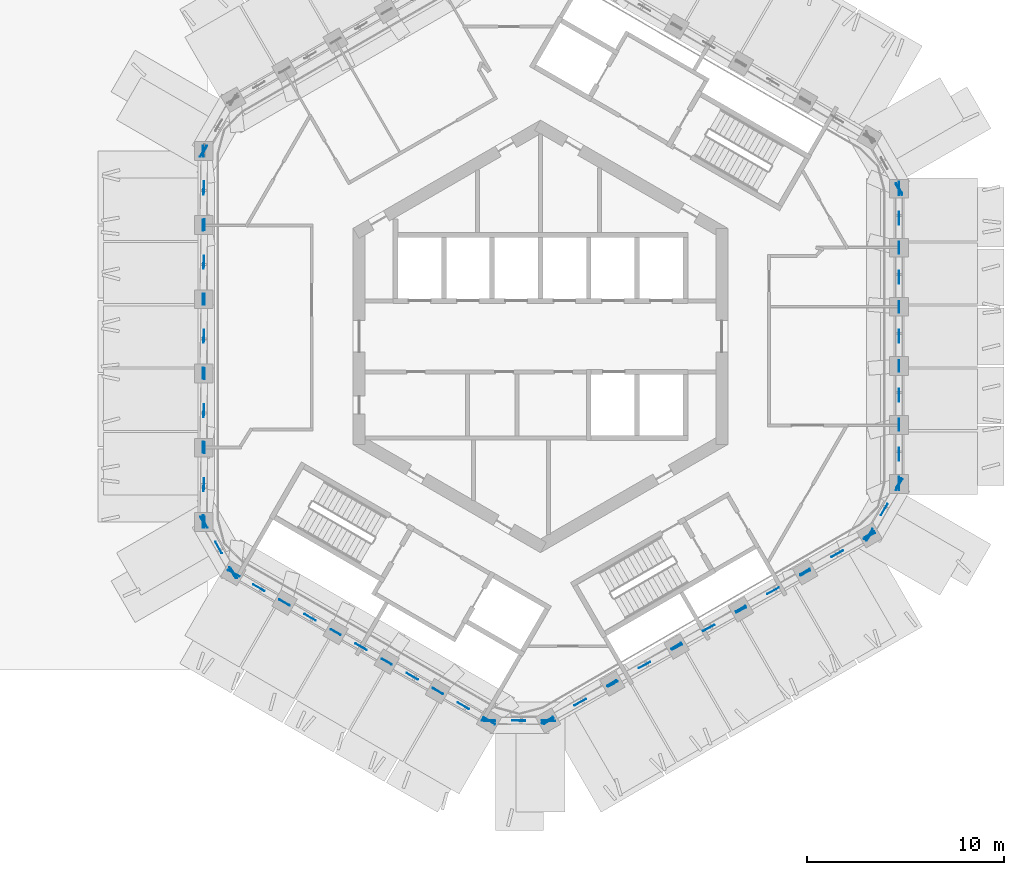
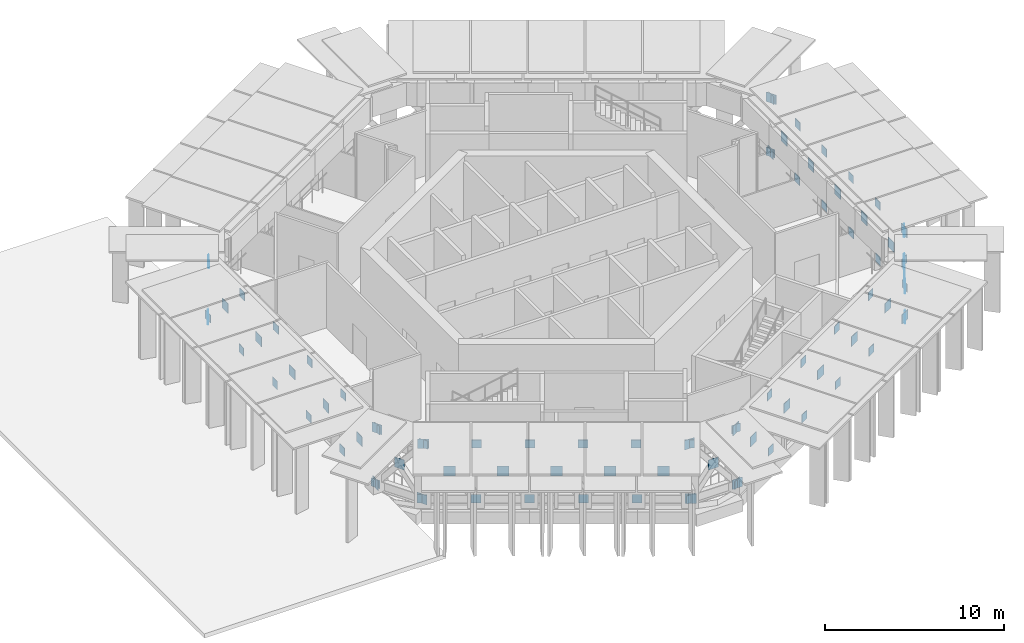
# One storey, part 10 of 15: 86 discrete accessories.
"""IFC4 building model written with IfcOpenShell, lengths in metres."""

from ifc_helpers import new_model, si_unit, direction, frame, origin, origin_2d, place, context, subcontext, project, spatial, rectangle, extrude, material, layer, layer_set, type_object, element, save


model = new_model("IFC4")

# Units and contexts
model_context = context("Model", 3, precision=1e-05, world=origin(), true_north=direction((0.0, 1.0)))
body_context = subcontext(model_context, "Body", "Model", "MODEL_VIEW")
ifc_project = project(units=[si_unit("LENGTHUNIT", "METRE"), si_unit("AREAUNIT", "SQUARE_METRE"), si_unit("VOLUMEUNIT", "CUBIC_METRE"), si_unit("PLANEANGLEUNIT", "RADIAN"), si_unit("MASSUNIT", "GRAM", prefix="KILO")], contexts=[model_context])

# Site, building, storey
site_placement = place(None, origin())
site = spatial("IfcSite", under=ifc_project, at=site_placement, CompositionType="ELEMENT")
building_placement = place(site_placement, origin())
building = spatial("IfcBuilding", under=site, at=building_placement, Name="Ayvan Gate Tower", CompositionType="ELEMENT")
storey_placement = place(building_placement, frame((0.0, 0.0, 214.10009765625)))
storey = spatial("IfcBuildingStorey", under=building, at=storey_placement, Name="L57", CompositionType="ELEMENT", Elevation=214.10009765625)

# Discrete accessories
ifc_material = material(Name="Steel S460ML", Category="steel")
ifc_layer = layer(ifc_material, 0.030029296875)
ifc_layer_set = layer_set([ifc_layer], Name="Steel S460ML")
discrete_accessory_type = type_object("IfcDiscreteAccessoryType", Name="Gusset plate 30 mm", PredefinedType="BRACKET", material=ifc_layer_set)
for number, where, z_axis, x_axis, name in (
    (1, (18.1865234375, -7.5234375, 0.06982421875), (0.0, 0.0, 1.0), (0.0, 1.0, 0.0), "Gusset plate BT3-DA-1"),
    (2, (18.1865234375, -4.46875, 3.81982421875), (0.0, 0.0, 1.0), (0.0, 1.0, 0.0), "Gusset plate BT3-DA-1"),
    (3, (-17.043212890625, 9.427978515625, 3.81982421875), (0.0, 0.0, 1.0), (0.488807011141, 0.872391945091, 0.0), "Gusset plate BT3-DA-18"),
    (4, (-17.108642578125, 9.39013671875, 0.06982421875), (0.0, 0.0, 1.0), (-0.017529189177, 0.99984635196, 0.0), "Gusset plate BT3-DA-19"),
    (5, (-17.043212890625, 5.65673828125, 3.81982421875), (0.0, 0.0, 1.0), (-0.017529189177, 0.99984635196, 0.0), "Gusset plate BT3-DA-19"),
    (6, (18.1865234375, -1.489501953125, 3.81982421875), (0.0, 0.0, 1.0), (0.0, 1.0, 0.0), "Gusset plate BT3-DA-2"),
    (7, (-17.043212890625, 1.885498046875, 3.81982421875), (0.0, 0.0, 1.0), (-0.017459386691, 0.999847573291, 0.0), "Gusset plate BT3-DA-20"),
    (8, (-17.043212890625, -1.885498046875, 3.81982421875), (0.0, 0.0, 1.0), (-0.017389584119, 0.99984878975, 0.0), "Gusset plate BT3-DA-21"),
    (9, (-17.043212890625, -5.65673828125, 3.81982421875), (0.0, 0.0, 1.0), (-0.017319781463, 0.999850001335, 0.0), "Gusset plate BT3-DA-22"),
    (10, (-17.043212890625, -9.427978515625, 3.81982421875), (0.0, 0.0, 1.0), (-0.017249978723, 0.999851208048, 0.0), "Gusset plate BT3-DA-23"),
    (11, (-17.108642578125, -9.39013671875, 0.06982421875), (0.0, 0.0, 1.0), (-0.51063746052, 0.859796129273, 0.0), "Gusset plate BT3-DA-24"),
    (12, (-15.543212890625, -12.026123046875, 3.81982421875), (0.0, 0.0, 1.0), (-0.51063746052, 0.859796129273, 0.0), "Gusset plate BT3-DA-24"),
    (13, (-15.608642578125, -11.98828125, 0.06982421875), (0.0, 0.0, 1.0), (-0.866025403784, 0.5, 0.0), "Gusset plate BT3-DA-25"),
    (14, (-12.963134765625, -13.515625, 3.81982421875), (0.0, 0.0, 1.0), (-0.866025403784, 0.5, 0.0), "Gusset plate BT3-DA-25"),
    (15, (-10.38330078125, -15.005126953125, 3.81982421875), (0.0, 0.0, 1.0), (-0.866025403784, 0.5, 0.0), "Gusset plate BT3-DA-26"),
    (16, (-7.80322265625, -16.494873046875, 3.81982421875), (0.0, 0.0, 1.0), (-0.866025403784, 0.5, 0.0), "Gusset plate BT3-DA-27"),
    (17, (-5.223388671875, -17.984375, 3.81982421875), (0.0, 0.0, 1.0), (-0.866025403784, 0.5, 0.0), "Gusset plate BT3-DA-28"),
    (18, (-2.643310546875, -19.473876953125, 3.81982421875), (0.0, 0.0, 1.0), (-0.866025403784, 0.5, 0.0), "Gusset plate BT3-DA-29"),
    (19, (18.1865234375, 1.489501953125, 3.81982421875), (0.0, 0.0, 1.0), (0.0, 1.0, 0.0), "Gusset plate BT3-DA-3"),
    (20, (-2.577880859375, -19.51171875, 0.06982421875), (0.0, 0.0, 1.0), (0.999917092076, 0.01287668335, 0.0), "Gusset plate BT3-DA-30"),
    (21, (0.356689453125, -19.473876953125, 3.81982421875), (0.0, 0.0, 1.0), (0.999917092076, 0.01287668335, 0.0), "Gusset plate BT3-DA-30"),
    (22, (0.422119140625, -19.51171875, 0.06982421875), (0.0, 0.0, 1.0), (0.85712774609, 0.515103899115, 0.0), "Gusset plate BT3-DA-31"),
    (23, (3.622802734375, -17.58837890625, 3.81982421875), (0.0, 0.0, 1.0), (0.85712774609, 0.515103899115, 0.0), "Gusset plate BT3-DA-31"),
    (24, (6.888671875, -15.70263671875, 3.81982421875), (0.0, 0.0, 1.0), (0.857163705037, 0.515044059054, 0.0), "Gusset plate BT3-DA-32"),
    (25, (10.154541015625, -13.817138671875, 3.81982421875), (0.0, 0.0, 1.0), (0.857199659807, 0.514984216484, 0.0), "Gusset plate BT3-DA-33"),
    (26, (13.420654296875, -11.931396484375, 3.81982421875), (0.0, 0.0, 1.0), (0.857235610398, 0.514924371403, 0.0), "Gusset plate BT3-DA-34"),
    (27, (16.6865234375, -10.0458984375, 3.81982421875), (0.0, 0.0, 1.0), (0.857271556812, 0.514864523813, 0.0), "Gusset plate BT3-DA-35"),
    (28, (16.6865234375, -10.121337890625, 0.06982421875), (0.0, 0.0, 1.0), (0.489286559766, 0.872123077571, 0.0), "Gusset plate BT3-DA-36"),
    (29, (18.1865234375, -7.44775390625, 3.81982421875), (0.0, 0.0, 1.0), (0.489286559766, 0.872123077571, 0.0), "Gusset plate BT3-DA-36"),
    (30, (18.1865234375, 4.46875, 3.81982421875), (0.0, 0.0, 1.0), (0.0, 1.0, 0.0), "Gusset plate BT3-DA-4"),
    (31, (18.1865234375, 7.44775390625, 3.81982421875), (0.0, 0.0, 1.0), (0.0, 1.0, 0.0), "Gusset plate BT3-DA-5"),
    (32, (18.1865234375, 7.5234375, 0.06982421875), (0.0, 0.0, 1.0), (-0.511110080935, 0.859515261741, 0.0), "Gusset plate BT3-DA-6"),
    (33, (18.1865234375, -4.513916015625, 0.06982421875), (0.0, 0.0, 1.0), (0.0, 1.0, 0.0), "Gusset plate BT3-DB-1"),
):
    element("IfcDiscreteAccessory", number, at=place(storey_placement, frame(where, z_axis=z_axis, x_axis=x_axis)), inside=storey, type_object=discrete_accessory_type, Name=name, PredefinedType="BRACKET", context=body_context, shape_type="SweptSolid", body=[
        extrude(rectangle(XDim=0.56005859375, YDim=0.030029296875, at=origin_2d()), origin(), (0.0, 0.0, 1.0), 0.56005859375),
    ])
discrete_accessory_1_placement = place(storey_placement, frame((18.1865234375, -5.98828125, 1.8916015625), z_axis=(0.0, 0.0, 1.0), x_axis=(0.0, 1.0, 0.0)))
element("IfcDiscreteAccessory", 34, at=discrete_accessory_1_placement, inside=storey, type_object=discrete_accessory_type, Name="Gusset plate BT3-DB-1", PredefinedType="BRACKET", context=body_context, shape_type="SweptSolid", body=[
    extrude(rectangle(XDim=0.657958984375, YDim=0.030029296875, at=origin_2d()), origin(), (0.0, 0.0, 1.0), 0.685302734375),
])
discrete_accessory_2_placement = place(storey_placement, frame((-17.108642578125, 9.39013671875, 0.02783203125), z_axis=(0.0, 0.0, 1.0), x_axis=(0.51063746052, 0.859796129273, 0.0)))
element("IfcDiscreteAccessory", 35, at=discrete_accessory_2_placement, inside=storey, type_object=discrete_accessory_type, Name="Gusset plate BT3-DB-18", PredefinedType="BRACKET", context=body_context, shape_type="SweptSolid", body=[
    extrude(rectangle(XDim=0.64404296875, YDim=0.030029296875, at=origin_2d()), origin(), (0.0, 0.0, 1.0), 0.64404296875),
])
discrete_accessory_3_placement = place(storey_placement, frame((-17.108642578125, 5.634033203125, 0.06982421875), z_axis=(0.0, 0.0, 1.0), x_axis=(0.017249978723, 0.999851208048, 0.0)))
element("IfcDiscreteAccessory", 36, at=discrete_accessory_3_placement, inside=storey, type_object=discrete_accessory_type, Name="Gusset plate BT3-DB-19", PredefinedType="BRACKET", context=body_context, shape_type="SweptSolid", body=[
    extrude(rectangle(XDim=0.56005859375, YDim=0.030029296875, at=origin_2d()), origin(), (0.0, 0.0, 1.0), 0.56005859375),
])
discrete_accessory_4_placement = place(storey_placement, frame((-17.075927734375, 7.52734375, 1.888671875), z_axis=(0.0, 0.0, 1.0), x_axis=(0.017249978723, 0.999851208048, 0.0)))
element("IfcDiscreteAccessory", 37, at=discrete_accessory_4_placement, inside=storey, type_object=discrete_accessory_type, Name="Gusset plate BT3-DB-19", PredefinedType="BRACKET", context=body_context, shape_type="SweptSolid", body=[
    extrude(rectangle(XDim=0.666748046875, YDim=0.030029296875, at=origin_2d()), origin(), (0.0, 0.0, 1.0), 0.665283203125),
])
discrete_accessory_5_placement = place(storey_placement, frame((18.1865234375, -1.504638671875, 0.06982421875), z_axis=(0.0, 0.0, 1.0), x_axis=(0.0, 1.0, 0.0)))
element("IfcDiscreteAccessory", 38, at=discrete_accessory_5_placement, inside=storey, type_object=discrete_accessory_type, Name="Gusset plate BT3-DB-2", PredefinedType="BRACKET", context=body_context, shape_type="SweptSolid", body=[
    extrude(rectangle(XDim=0.56005859375, YDim=0.030029296875, at=origin_2d()), origin(), (0.0, 0.0, 1.0), 0.56005859375),
])
discrete_accessory_6_placement = place(storey_placement, frame((18.1865234375, -2.994140625, 1.89208984375), z_axis=(0.0, 0.0, 1.0), x_axis=(0.0, 1.0, 0.0)))
element("IfcDiscreteAccessory", 39, at=discrete_accessory_6_placement, inside=storey, type_object=discrete_accessory_type, Name="Gusset plate BT3-DB-2", PredefinedType="BRACKET", context=body_context, shape_type="SweptSolid", body=[
    extrude(rectangle(XDim=0.658447265625, YDim=0.030029296875, at=origin_2d()), origin(), (0.0, 0.0, 1.0), 0.684814453125),
])
discrete_accessory_7_placement = place(storey_placement, frame((-17.108642578125, 1.8779296875, 0.06982421875), z_axis=(0.0, 0.0, 1.0), x_axis=(0.017319781463, 0.999850001335, 0.0)))
element("IfcDiscreteAccessory", 40, at=discrete_accessory_7_placement, inside=storey, type_object=discrete_accessory_type, Name="Gusset plate BT3-DB-20", PredefinedType="BRACKET", context=body_context, shape_type="SweptSolid", body=[
    extrude(rectangle(XDim=0.56005859375, YDim=0.030029296875, at=origin_2d()), origin(), (0.0, 0.0, 1.0), 0.56005859375),
])
discrete_accessory_8_placement = place(storey_placement, frame((-17.075927734375, 3.763671875, 1.88818359375), z_axis=(0.0, 0.0, 1.0), x_axis=(0.017319781463, 0.999850001335, 0.0)))
element("IfcDiscreteAccessory", 41, at=discrete_accessory_8_placement, inside=storey, type_object=discrete_accessory_type, Name="Gusset plate BT3-DB-20", PredefinedType="BRACKET", context=body_context, shape_type="SweptSolid", body=[
    extrude(rectangle(XDim=0.66650390625, YDim=0.030029296875, at=origin_2d()), origin(), (0.0, 0.0, 1.0), 0.665771484375),
])
discrete_accessory_9_placement = place(storey_placement, frame((-17.108642578125, -1.8779296875, 0.06982421875), z_axis=(0.0, 0.0, 1.0), x_axis=(0.017389584119, 0.99984878975, 0.0)))
element("IfcDiscreteAccessory", 42, at=discrete_accessory_9_placement, inside=storey, type_object=discrete_accessory_type, Name="Gusset plate BT3-DB-21", PredefinedType="BRACKET", context=body_context, shape_type="SweptSolid", body=[
    extrude(rectangle(XDim=0.56005859375, YDim=0.030029296875, at=origin_2d()), origin(), (0.0, 0.0, 1.0), 0.56005859375),
])
discrete_accessory_10_placement = place(storey_placement, frame((-17.075927734375, 0.0, 1.88818359375), z_axis=(0.0, 0.0, 1.0), x_axis=(0.017389584119, 0.99984878975, 0.0)))
element("IfcDiscreteAccessory", 43, at=discrete_accessory_10_placement, inside=storey, type_object=discrete_accessory_type, Name="Gusset plate BT3-DB-21", PredefinedType="BRACKET", context=body_context, shape_type="SweptSolid", body=[
    extrude(rectangle(XDim=0.666259765625, YDim=0.030029296875, at=origin_2d()), origin(), (0.0, 0.0, 1.0), 0.666015625),
])
discrete_accessory_11_placement = place(storey_placement, frame((-17.108642578125, -5.634033203125, 0.06982421875), z_axis=(0.0, 0.0, 1.0), x_axis=(0.017459386691, 0.999847573291, 0.0)))
element("IfcDiscreteAccessory", 44, at=discrete_accessory_11_placement, inside=storey, type_object=discrete_accessory_type, Name="Gusset plate BT3-DB-22", PredefinedType="BRACKET", context=body_context, shape_type="SweptSolid", body=[
    extrude(rectangle(XDim=0.56005859375, YDim=0.030029296875, at=origin_2d()), origin(), (0.0, 0.0, 1.0), 0.56005859375),
])
discrete_accessory_12_placement = place(storey_placement, frame((-17.075927734375, -3.763671875, 1.88818359375), z_axis=(0.0, 0.0, 1.0), x_axis=(0.017459386691, 0.999847573291, 0.0)))
element("IfcDiscreteAccessory", 45, at=discrete_accessory_12_placement, inside=storey, type_object=discrete_accessory_type, Name="Gusset plate BT3-DB-22", PredefinedType="BRACKET", context=body_context, shape_type="SweptSolid", body=[
    extrude(rectangle(XDim=0.666015625, YDim=0.030029296875, at=origin_2d()), origin(), (0.0, 0.0, 1.0), 0.666015625),
])
discrete_accessory_13_placement = place(storey_placement, frame((-17.108642578125, -9.39013671875, 0.02783203125), z_axis=(0.0, 0.0, 1.0), x_axis=(0.017529189177, 0.99984635196, 0.0)))
element("IfcDiscreteAccessory", 46, at=discrete_accessory_13_placement, inside=storey, type_object=discrete_accessory_type, Name="Gusset plate BT3-DB-23", PredefinedType="BRACKET", context=body_context, shape_type="SweptSolid", body=[
    extrude(rectangle(XDim=0.64404296875, YDim=0.030029296875, at=origin_2d()), origin(), (0.0, 0.0, 1.0), 0.64404296875),
])
discrete_accessory_14_placement = place(storey_placement, frame((-17.075927734375, -7.52734375, 1.88818359375), z_axis=(0.0, 0.0, 1.0), x_axis=(0.017529189177, 0.99984635196, 0.0)))
element("IfcDiscreteAccessory", 47, at=discrete_accessory_14_placement, inside=storey, type_object=discrete_accessory_type, Name="Gusset plate BT3-DB-23", PredefinedType="BRACKET", context=body_context, shape_type="SweptSolid", body=[
    extrude(rectangle(XDim=0.665771484375, YDim=0.030029296875, at=origin_2d()), origin(), (0.0, 0.0, 1.0), 0.666259765625),
])
discrete_accessory_15_placement = place(storey_placement, frame((-15.608642578125, -11.98828125, 0.02783203125), z_axis=(0.0, 0.0, 1.0), x_axis=(-0.488807011141, 0.872391945091, 0.0)))
element("IfcDiscreteAccessory", 48, at=discrete_accessory_15_placement, inside=storey, type_object=discrete_accessory_type, Name="Gusset plate BT3-DB-24", PredefinedType="BRACKET", context=body_context, shape_type="SweptSolid", body=[
    extrude(rectangle(XDim=0.64404296875, YDim=0.030029296875, at=origin_2d()), origin(), (0.0, 0.0, 1.0), 0.64404296875),
])
discrete_accessory_16_placement = place(storey_placement, frame((-16.325927734375, -10.708251953125, 1.88232421875), z_axis=(0.0, 0.0, 1.0), x_axis=(-0.488807011141, 0.872391945091, 0.0)))
element("IfcDiscreteAccessory", 49, at=discrete_accessory_16_placement, inside=storey, type_object=discrete_accessory_type, Name="Gusset plate BT3-DB-24", PredefinedType="BRACKET", context=body_context, shape_type="SweptSolid", body=[
    extrude(rectangle(XDim=0.657958984375, YDim=0.030029296875, at=origin_2d()), origin(), (0.0, 0.0, 1.0), 0.68505859375),
])
discrete_accessory_17_placement = place(storey_placement, frame((-13.00244140625, -13.492919921875, 0.06982421875), z_axis=(0.0, 0.0, 1.0), x_axis=(-0.866025403784, 0.5, 0.0)))
element("IfcDiscreteAccessory", 50, at=discrete_accessory_17_placement, inside=storey, type_object=discrete_accessory_type, Name="Gusset plate BT3-DB-25", PredefinedType="BRACKET", context=body_context, shape_type="SweptSolid", body=[
    extrude(rectangle(XDim=0.56005859375, YDim=0.030029296875, at=origin_2d()), origin(), (0.0, 0.0, 1.0), 0.56005859375),
])
discrete_accessory_18_placement = place(storey_placement, frame((-14.279296875, -12.755859375, 1.8916015625), z_axis=(0.0, 0.0, 1.0), x_axis=(-0.866025403784, 0.5, 0.0)))
element("IfcDiscreteAccessory", 51, at=discrete_accessory_18_placement, inside=storey, type_object=discrete_accessory_type, Name="Gusset plate BT3-DB-25", PredefinedType="BRACKET", context=body_context, shape_type="SweptSolid", body=[
    extrude(rectangle(XDim=0.657958984375, YDim=0.030029296875, at=origin_2d()), origin(), (0.0, 0.0, 1.0), 0.685302734375),
])
discrete_accessory_19_placement = place(storey_placement, frame((-10.396484375, -14.997802734375, 0.06982421875), z_axis=(0.0, 0.0, 1.0), x_axis=(-0.866025403784, 0.5, 0.0)))
element("IfcDiscreteAccessory", 52, at=discrete_accessory_19_placement, inside=storey, type_object=discrete_accessory_type, Name="Gusset plate BT3-DB-26", PredefinedType="BRACKET", context=body_context, shape_type="SweptSolid", body=[
    extrude(rectangle(XDim=0.56005859375, YDim=0.030029296875, at=origin_2d()), origin(), (0.0, 0.0, 1.0), 0.56005859375),
])
discrete_accessory_20_placement = place(storey_placement, frame((-11.686279296875, -14.2529296875, 1.89208984375), z_axis=(0.0, 0.0, 1.0), x_axis=(-0.866025403784, 0.5, 0.0)))
element("IfcDiscreteAccessory", 53, at=discrete_accessory_20_placement, inside=storey, type_object=discrete_accessory_type, Name="Gusset plate BT3-DB-26", PredefinedType="BRACKET", context=body_context, shape_type="SweptSolid", body=[
    extrude(rectangle(XDim=0.658447265625, YDim=0.030029296875, at=origin_2d()), origin(), (0.0, 0.0, 1.0), 0.684814453125),
])
discrete_accessory_21_placement = place(storey_placement, frame((-7.790283203125, -16.502197265625, 0.06982421875), z_axis=(0.0, 0.0, 1.0), x_axis=(-0.866025403784, 0.5, 0.0)))
element("IfcDiscreteAccessory", 54, at=discrete_accessory_21_placement, inside=storey, type_object=discrete_accessory_type, Name="Gusset plate BT3-DB-27", PredefinedType="BRACKET", context=body_context, shape_type="SweptSolid", body=[
    extrude(rectangle(XDim=0.56005859375, YDim=0.030029296875, at=origin_2d()), origin(), (0.0, 0.0, 1.0), 0.56005859375),
])
discrete_accessory_22_placement = place(storey_placement, frame((-9.09326171875, -15.75, 1.892333984375), z_axis=(0.0, 0.0, 1.0), x_axis=(-0.866025403784, 0.5, 0.0)))
element("IfcDiscreteAccessory", 55, at=discrete_accessory_22_placement, inside=storey, type_object=discrete_accessory_type, Name="Gusset plate BT3-DB-27", PredefinedType="BRACKET", context=body_context, shape_type="SweptSolid", body=[
    extrude(rectangle(XDim=0.6591796875, YDim=0.030029296875, at=origin_2d()), origin(), (0.0, 0.0, 1.0), 0.68408203125),
])
discrete_accessory_23_placement = place(storey_placement, frame((-5.18408203125, -18.007080078125, 0.06982421875), z_axis=(0.0, 0.0, 1.0), x_axis=(-0.866025403784, 0.5, 0.0)))
element("IfcDiscreteAccessory", 56, at=discrete_accessory_23_placement, inside=storey, type_object=discrete_accessory_type, Name="Gusset plate BT3-DB-28", PredefinedType="BRACKET", context=body_context, shape_type="SweptSolid", body=[
    extrude(rectangle(XDim=0.56005859375, YDim=0.030029296875, at=origin_2d()), origin(), (0.0, 0.0, 1.0), 0.56005859375),
])
discrete_accessory_24_placement = place(storey_placement, frame((-6.500244140625, -17.2470703125, 1.892578125), z_axis=(0.0, 0.0, 1.0), x_axis=(-0.866025403784, 0.5, 0.0)))
element("IfcDiscreteAccessory", 57, at=discrete_accessory_24_placement, inside=storey, type_object=discrete_accessory_type, Name="Gusset plate BT3-DB-28", PredefinedType="BRACKET", context=body_context, shape_type="SweptSolid", body=[
    extrude(rectangle(XDim=0.659912109375, YDim=0.030029296875, at=origin_2d()), origin(), (0.0, 0.0, 1.0), 0.68359375),
])
discrete_accessory_25_placement = place(storey_placement, frame((-2.577880859375, -19.51171875, 0.02783203125), z_axis=(0.0, 0.0, 1.0), x_axis=(-0.866025403784, 0.5, 0.0)))
element("IfcDiscreteAccessory", 58, at=discrete_accessory_25_placement, inside=storey, type_object=discrete_accessory_type, Name="Gusset plate BT3-DB-29", PredefinedType="BRACKET", context=body_context, shape_type="SweptSolid", body=[
    extrude(rectangle(XDim=0.64404296875, YDim=0.030029296875, at=origin_2d()), origin(), (0.0, 0.0, 1.0), 0.64404296875),
])
discrete_accessory_26_placement = place(storey_placement, frame((-3.9072265625, -18.744140625, 1.892822265625), z_axis=(0.0, 0.0, 1.0), x_axis=(-0.866025403784, 0.5, 0.0)))
element("IfcDiscreteAccessory", 59, at=discrete_accessory_26_placement, inside=storey, type_object=discrete_accessory_type, Name="Gusset plate BT3-DB-29", PredefinedType="BRACKET", context=body_context, shape_type="SweptSolid", body=[
    extrude(rectangle(XDim=0.660400390625, YDim=0.030029296875, at=origin_2d()), origin(), (0.0, 0.0, 1.0), 0.68310546875),
])
discrete_accessory_27_placement = place(storey_placement, frame((18.1865234375, 1.504638671875, 0.06982421875), z_axis=(0.0, 0.0, 1.0), x_axis=(0.0, 1.0, 0.0)))
element("IfcDiscreteAccessory", 60, at=discrete_accessory_27_placement, inside=storey, type_object=discrete_accessory_type, Name="Gusset plate BT3-DB-3", PredefinedType="BRACKET", context=body_context, shape_type="SweptSolid", body=[
    extrude(rectangle(XDim=0.56005859375, YDim=0.030029296875, at=origin_2d()), origin(), (0.0, 0.0, 1.0), 0.56005859375),
])
discrete_accessory_28_placement = place(storey_placement, frame((18.1865234375, 0.0, 1.892333984375), z_axis=(0.0, 0.0, 1.0), x_axis=(0.0, 1.0, 0.0)))
element("IfcDiscreteAccessory", 61, at=discrete_accessory_28_placement, inside=storey, type_object=discrete_accessory_type, Name="Gusset plate BT3-DB-3", PredefinedType="BRACKET", context=body_context, shape_type="SweptSolid", body=[
    extrude(rectangle(XDim=0.6591796875, YDim=0.030029296875, at=origin_2d()), origin(), (0.0, 0.0, 1.0), 0.68408203125),
])
discrete_accessory_29_placement = place(storey_placement, frame((0.422119140625, -19.51171875, 0.02783203125), z_axis=(0.0, 0.0, 1.0), x_axis=(-0.999924020286, 0.012326948298, 0.0)))
element("IfcDiscreteAccessory", 62, at=discrete_accessory_29_placement, inside=storey, type_object=discrete_accessory_type, Name="Gusset plate BT3-DB-30", PredefinedType="BRACKET", context=body_context, shape_type="SweptSolid", body=[
    extrude(rectangle(XDim=0.64404296875, YDim=0.030029296875, at=origin_2d()), origin(), (0.0, 0.0, 1.0), 0.64404296875),
])
discrete_accessory_30_placement = place(storey_placement, frame((-1.110595703125, -19.492919921875, 1.88330078125), z_axis=(0.0, 0.0, 1.0), x_axis=(-0.999924020286, 0.012326948298, 0.0)))
element("IfcDiscreteAccessory", 63, at=discrete_accessory_30_placement, inside=storey, type_object=discrete_accessory_type, Name="Gusset plate BT3-DB-30", PredefinedType="BRACKET", context=body_context, shape_type="SweptSolid", body=[
    extrude(rectangle(XDim=0.660400390625, YDim=0.030029296875, at=origin_2d()), origin(), (0.0, 0.0, 1.0), 0.682861328125),
])
discrete_accessory_31_placement = place(storey_placement, frame((3.675048828125, -17.633544921875, 0.06982421875), z_axis=(0.0, 0.0, 1.0), x_axis=(0.874521535535, 0.484986684235, 0.0)))
element("IfcDiscreteAccessory", 64, at=discrete_accessory_31_placement, inside=storey, type_object=discrete_accessory_type, Name="Gusset plate BT3-DB-31", PredefinedType="BRACKET", context=body_context, shape_type="SweptSolid", body=[
    extrude(rectangle(XDim=0.56005859375, YDim=0.030029296875, at=origin_2d()), origin(), (0.0, 0.0, 1.0), 0.56005859375),
])
discrete_accessory_32_placement = place(storey_placement, frame((2.019287109375, -18.552001953125, 1.888671875), z_axis=(0.0, 0.0, 1.0), x_axis=(0.874521535535, 0.484986684235, 0.0)))
element("IfcDiscreteAccessory", 65, at=discrete_accessory_32_placement, inside=storey, type_object=discrete_accessory_type, Name="Gusset plate BT3-DB-31", PredefinedType="BRACKET", context=body_context, shape_type="SweptSolid", body=[
    extrude(rectangle(XDim=0.666748046875, YDim=0.030029296875, at=origin_2d()), origin(), (0.0, 0.0, 1.0), 0.665283203125),
])
discrete_accessory_33_placement = place(storey_placement, frame((6.927978515625, -15.755615234375, 0.06982421875), z_axis=(0.0, 0.0, 1.0), x_axis=(0.874555391862, 0.484925629932, 0.0)))
element("IfcDiscreteAccessory", 66, at=discrete_accessory_33_placement, inside=storey, type_object=discrete_accessory_type, Name="Gusset plate BT3-DB-32", PredefinedType="BRACKET", context=body_context, shape_type="SweptSolid", body=[
    extrude(rectangle(XDim=0.56005859375, YDim=0.030029296875, at=origin_2d()), origin(), (0.0, 0.0, 1.0), 0.56005859375),
])
discrete_accessory_34_placement = place(storey_placement, frame((5.278564453125, -16.670166015625, 1.88818359375), z_axis=(0.0, 0.0, 1.0), x_axis=(0.874555391862, 0.484925629932, 0.0)))
element("IfcDiscreteAccessory", 67, at=discrete_accessory_34_placement, inside=storey, type_object=discrete_accessory_type, Name="Gusset plate BT3-DB-32", PredefinedType="BRACKET", context=body_context, shape_type="SweptSolid", body=[
    extrude(rectangle(XDim=0.66650390625, YDim=0.030029296875, at=origin_2d()), origin(), (0.0, 0.0, 1.0), 0.665771484375),
])
discrete_accessory_35_placement = place(storey_placement, frame((10.180908203125, -13.87744140625, 0.06982421875), z_axis=(0.0, 0.0, 1.0), x_axis=(0.874589243926, 0.484864573266, 0.0)))
element("IfcDiscreteAccessory", 68, at=discrete_accessory_35_placement, inside=storey, type_object=discrete_accessory_type, Name="Gusset plate BT3-DB-33", PredefinedType="BRACKET", context=body_context, shape_type="SweptSolid", body=[
    extrude(rectangle(XDim=0.56005859375, YDim=0.030029296875, at=origin_2d()), origin(), (0.0, 0.0, 1.0), 0.56005859375),
])
discrete_accessory_36_placement = place(storey_placement, frame((8.5380859375, -14.788330078125, 1.88818359375), z_axis=(0.0, 0.0, 1.0), x_axis=(0.874589243926, 0.484864573266, 0.0)))
element("IfcDiscreteAccessory", 69, at=discrete_accessory_36_placement, inside=storey, type_object=discrete_accessory_type, Name="Gusset plate BT3-DB-33", PredefinedType="BRACKET", context=body_context, shape_type="SweptSolid", body=[
    extrude(rectangle(XDim=0.666259765625, YDim=0.030029296875, at=origin_2d()), origin(), (0.0, 0.0, 1.0), 0.666015625),
])
discrete_accessory_37_placement = place(storey_placement, frame((13.43359375, -11.99951171875, 0.06982421875), z_axis=(0.0, 0.0, 1.0), x_axis=(0.874623091728, 0.484803514237, 0.0)))
element("IfcDiscreteAccessory", 70, at=discrete_accessory_37_placement, inside=storey, type_object=discrete_accessory_type, Name="Gusset plate BT3-DB-34", PredefinedType="BRACKET", context=body_context, shape_type="SweptSolid", body=[
    extrude(rectangle(XDim=0.56005859375, YDim=0.030029296875, at=origin_2d()), origin(), (0.0, 0.0, 1.0), 0.56005859375),
])
discrete_accessory_38_placement = place(storey_placement, frame((11.79736328125, -12.906494140625, 1.88818359375), z_axis=(0.0, 0.0, 1.0), x_axis=(0.874623091728, 0.484803514237, 0.0)))
element("IfcDiscreteAccessory", 71, at=discrete_accessory_38_placement, inside=storey, type_object=discrete_accessory_type, Name="Gusset plate BT3-DB-34", PredefinedType="BRACKET", context=body_context, shape_type="SweptSolid", body=[
    extrude(rectangle(XDim=0.666015625, YDim=0.030029296875, at=origin_2d()), origin(), (0.0, 0.0, 1.0), 0.666015625),
])
discrete_accessory_39_placement = place(storey_placement, frame((16.6865234375, -10.121337890625, 0.02783203125), z_axis=(0.0, 0.0, 1.0), x_axis=(0.874656935266, 0.484742452845, 0.0)))
element("IfcDiscreteAccessory", 72, at=discrete_accessory_39_placement, inside=storey, type_object=discrete_accessory_type, Name="Gusset plate BT3-DB-35", PredefinedType="BRACKET", context=body_context, shape_type="SweptSolid", body=[
    extrude(rectangle(XDim=0.64404296875, YDim=0.030029296875, at=origin_2d()), origin(), (0.0, 0.0, 1.0), 0.64404296875),
])
discrete_accessory_40_placement = place(storey_placement, frame((15.056884765625, -11.024658203125, 1.88818359375), z_axis=(0.0, 0.0, 1.0), x_axis=(0.874656935266, 0.484742452845, 0.0)))
element("IfcDiscreteAccessory", 73, at=discrete_accessory_40_placement, inside=storey, type_object=discrete_accessory_type, Name="Gusset plate BT3-DB-35", PredefinedType="BRACKET", context=body_context, shape_type="SweptSolid", body=[
    extrude(rectangle(XDim=0.665771484375, YDim=0.030029296875, at=origin_2d()), origin(), (0.0, 0.0, 1.0), 0.666259765625),
])
discrete_accessory_41_placement = place(storey_placement, frame((18.1865234375, -7.5234375, 0.02783203125), z_axis=(0.0, 0.0, 1.0), x_axis=(0.511110080935, 0.859515261741, 0.0)))
element("IfcDiscreteAccessory", 74, at=discrete_accessory_41_placement, inside=storey, type_object=discrete_accessory_type, Name="Gusset plate BT3-DB-36", PredefinedType="BRACKET", context=body_context, shape_type="SweptSolid", body=[
    extrude(rectangle(XDim=0.64404296875, YDim=0.030029296875, at=origin_2d()), origin(), (0.0, 0.0, 1.0), 0.64404296875),
])
discrete_accessory_42_placement = place(storey_placement, frame((17.4365234375, -8.78466796875, 1.88232421875), z_axis=(0.0, 0.0, 1.0), x_axis=(0.511110080935, 0.859515261741, 0.0)))
element("IfcDiscreteAccessory", 75, at=discrete_accessory_42_placement, inside=storey, type_object=discrete_accessory_type, Name="Gusset plate BT3-DB-36", PredefinedType="BRACKET", context=body_context, shape_type="SweptSolid", body=[
    extrude(rectangle(XDim=0.657958984375, YDim=0.030029296875, at=origin_2d()), origin(), (0.0, 0.0, 1.0), 0.68505859375),
])
discrete_accessory_43_placement = place(storey_placement, frame((18.1865234375, 4.513916015625, 0.06982421875), z_axis=(0.0, 0.0, 1.0), x_axis=(0.0, 1.0, 0.0)))
element("IfcDiscreteAccessory", 76, at=discrete_accessory_43_placement, inside=storey, type_object=discrete_accessory_type, Name="Gusset plate BT3-DB-4", PredefinedType="BRACKET", context=body_context, shape_type="SweptSolid", body=[
    extrude(rectangle(XDim=0.56005859375, YDim=0.030029296875, at=origin_2d()), origin(), (0.0, 0.0, 1.0), 0.56005859375),
])
discrete_accessory_44_placement = place(storey_placement, frame((18.1865234375, 2.994140625, 1.892578125), z_axis=(0.0, 0.0, 1.0), x_axis=(0.0, 1.0, 0.0)))
element("IfcDiscreteAccessory", 77, at=discrete_accessory_44_placement, inside=storey, type_object=discrete_accessory_type, Name="Gusset plate BT3-DB-4", PredefinedType="BRACKET", context=body_context, shape_type="SweptSolid", body=[
    extrude(rectangle(XDim=0.659912109375, YDim=0.030029296875, at=origin_2d()), origin(), (0.0, 0.0, 1.0), 0.68359375),
])
discrete_accessory_45_placement = place(storey_placement, frame((18.1865234375, 7.5234375, 0.02783203125), z_axis=(0.0, 0.0, 1.0), x_axis=(0.0, 1.0, 0.0)))
element("IfcDiscreteAccessory", 78, at=discrete_accessory_45_placement, inside=storey, type_object=discrete_accessory_type, Name="Gusset plate BT3-DB-5", PredefinedType="BRACKET", context=body_context, shape_type="SweptSolid", body=[
    extrude(rectangle(XDim=0.64404296875, YDim=0.030029296875, at=origin_2d()), origin(), (0.0, 0.0, 1.0), 0.64404296875),
])
discrete_accessory_46_placement = place(storey_placement, frame((18.1865234375, 5.98828125, 1.892822265625), z_axis=(0.0, 0.0, 1.0), x_axis=(0.0, 1.0, 0.0)))
element("IfcDiscreteAccessory", 79, at=discrete_accessory_46_placement, inside=storey, type_object=discrete_accessory_type, Name="Gusset plate BT3-DB-5", PredefinedType="BRACKET", context=body_context, shape_type="SweptSolid", body=[
    extrude(rectangle(XDim=0.660400390625, YDim=0.030029296875, at=origin_2d()), origin(), (0.0, 0.0, 1.0), 0.68310546875),
])
for number, where, z_axis, x_axis, name in (
    (80, (18.1865234375, -7.44775390625, 3.77783203125), (0.0, 0.0, 1.0), (0.0, 1.0, 0.0), "Gusset plate BT3-DC-1"),
    (81, (-17.043212890625, -9.427978515625, 3.77783203125), (0.0, 0.0, 1.0), (-0.488807011141, 0.872391945091, 0.0), "Gusset plate BT3-DC-24"),
    (82, (-15.543212890625, -12.026123046875, 3.77783203125), (0.0, 0.0, 1.0), (-0.866025403784, 0.5, 0.0), "Gusset plate BT3-DC-25"),
    (83, (-2.643310546875, -19.473876953125, 3.77783203125), (0.0, 0.0, 1.0), (-0.999924020286, 0.012326948298, 0.0), "Gusset plate BT3-DC-30"),
    (84, (0.356689453125, -19.473876953125, 3.77783203125), (0.0, 0.0, 1.0), (0.874521535535, 0.484986684235, 0.0), "Gusset plate BT3-DC-31"),
    (85, (16.6865234375, -10.0458984375, 3.77783203125), (0.0, 0.0, 1.0), (0.511110080935, 0.859515261741, 0.0), "Gusset plate BT3-DC-36"),
    (86, (18.1865234375, 7.44775390625, 3.77783203125), (0.0, 0.0, 1.0), (-0.489286559766, 0.872123077571, 0.0), "Gusset plate BT3-DC-6"),
):
    element("IfcDiscreteAccessory", number, at=place(storey_placement, frame(where, z_axis=z_axis, x_axis=x_axis)), inside=storey, type_object=discrete_accessory_type, Name=name, PredefinedType="BRACKET", context=body_context, shape_type="SweptSolid", body=[
        extrude(rectangle(XDim=0.64404296875, YDim=0.030029296875, at=origin_2d()), origin(), (0.0, 0.0, 1.0), 0.64404296875),
    ])

save(model, "model.ifc")
